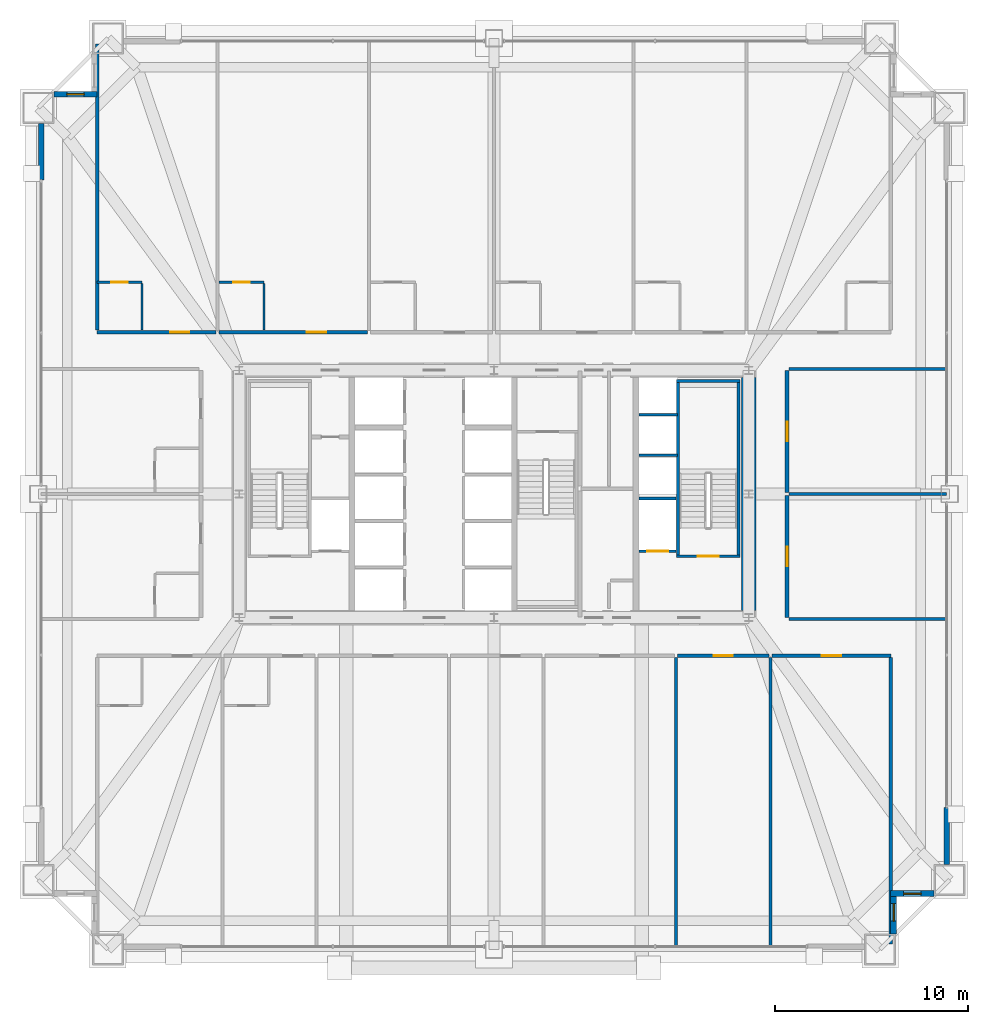
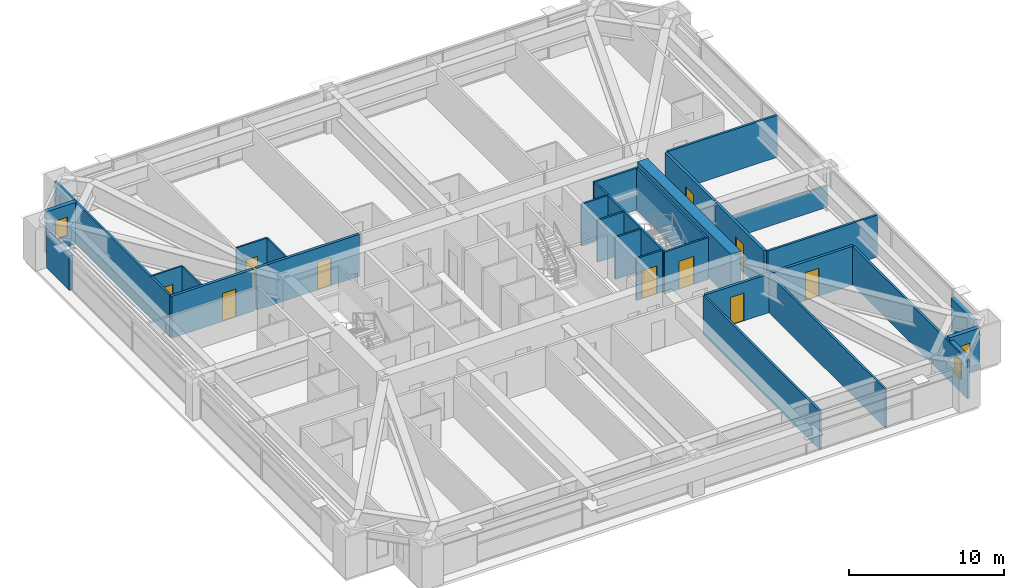
# One storey, part 43 of 45: 31 walls, 10 doors, 3 windows, 13 openings.
"""IFC4 building model written with IfcOpenShell, lengths in metres."""

from ifc_helpers import new_model, si_unit, direction, frame, frame_2d, origin, place, context, subcontext, project, spatial, rectangle, extrude, source, transform, mapped, material, layer, layer_set, type_object, element, fill, save


model = new_model("IFC4")

# Units and contexts
model_context = context("Model", 3, precision=1e-05, world=origin(), true_north=direction((0.0, 1.0)))
body_context = subcontext(model_context, "Body", "Model", "MODEL_VIEW")
ifc_project = project(units=[si_unit("LENGTHUNIT", "METRE"), si_unit("AREAUNIT", "SQUARE_METRE"), si_unit("VOLUMEUNIT", "CUBIC_METRE"), si_unit("PLANEANGLEUNIT", "RADIAN"), si_unit("MASSUNIT", "GRAM", prefix="KILO"), si_unit("THERMODYNAMICTEMPERATUREUNIT", "KELVIN"), si_unit("POWERUNIT", "WATT")], contexts=[model_context])

# Site, building, storey
site_placement = place(None, origin())
site = spatial("IfcSite", under=ifc_project, at=site_placement, CompositionType="ELEMENT")
building_placement = place(site_placement, origin())
building = spatial("IfcBuilding", under=site, at=building_placement, Name="Yuzanri Waterfront Tower", CompositionType="ELEMENT")
storey_placement = place(building_placement, frame((0.0, 0.0, 163.199951171875)))
storey = spatial("IfcBuildingStorey", under=building, at=storey_placement, Name="L43", CompositionType="ELEMENT", Elevation=163.199951171875)

# Wall, opening, door
ifc_material_1 = material(Name="Moisture-Resistant Gypsum Stud Wall", Category="gypsum")
ifc_layer_1 = layer(ifc_material_1, 0.1201171875)
ifc_layer_set_1 = layer_set([ifc_layer_1], Name="Moisture-Resistant Gypsum Stud Wall")
wall_type_1 = type_object("IfcWallType", Name="Bathroom and Kitchen Wet Partition 120", PredefinedType="PARTITIONING", material=ifc_layer_set_1)
wall_1_placement = place(storey_placement, frame((16.43994140625, 36.760009765625, 0.0), z_axis=(0.0, 0.0, 1.0), x_axis=(1.0, 0.0, 0.0)))
wall_1 = element("IfcWall", 1, at=wall_1_placement, inside=storey, type_object=wall_type_1, Name="L43 Partition UW-L43-N1-BN", PredefinedType="PARTITIONING", context=body_context, shape_type="SweptSolid", body=[
    extrude(rectangle(XDim=2.330078125, YDim=0.1201171875, at=frame_2d((1.1650390625, 0.0))), origin(), (0.0, 0.0, 1.0), 3.300048828125),
])
opening_1_placement = place(wall_1_placement, frame((0.739990234375, 0.0, 0.0)))
opening_1 = element("IfcOpeningElement", 2, at=opening_1_placement, cuts=wall_1, Name="Opening ID-0850", PredefinedType="OPENING", context=body_context, shape_type="SweptSolid", body=[
    extrude(rectangle(XDim=0.85009765625, YDim=2.10009765625, at=frame_2d((0.425048828125, 1.050048828125))), frame((0.0, 0.074951171875, 0.0), z_axis=(0.0, -1.0, 0.0), x_axis=(1.0, 0.0, 0.0)), (0.0, 0.0, 1.0), 0.14990234375),
])
ifc_material_2 = material(Name="Moisture-Resistant Lacquered Timber", Category="wood")
door_type_1 = type_object("IfcDoorType", Name="En-Suite Bathroom and Kitchen Swing Door 850x2100", OperationType="NOTDEFINED", PredefinedType="DOOR", material=ifc_material_2)
shared_shape_1 = source(origin(), body_context, "Body", "SweptSolid", [
    extrude(rectangle(XDim=0.85009765625, YDim=2.10009765625, at=frame_2d((0.425048828125, 1.050048828125))), frame((0.0, 0.02490234375, 0.0), z_axis=(0.0, -1.0, 0.0), x_axis=(1.0, 0.0, 0.0)), (0.0, 0.0, 1.0), 0.050048828125),
])
door_1_placement = place(opening_1_placement, origin())
door_1 = element("IfcDoor", 3, at=door_1_placement, inside=storey, type_object=door_type_1, Name="L43 Guest En-Suite Door", OperationType="SINGLE_SWING_LEFT", OverallHeight=2.10009765625, OverallWidth=0.85009765625, PredefinedType="DOOR", context=body_context, shape_type="MappedRepresentation", body=[
    mapped(shared_shape_1, transform((0.0, 0.0, 0.0), scale=1.0)),
])
fill(opening_1, door_1)

wall_2_placement = place(storey_placement, frame((22.757080078125, 36.760009765625, 0.0), z_axis=(0.0, 0.0, 1.0), x_axis=(1.0, 0.0, 0.0)))
wall_2 = element("IfcWall", 4, at=wall_2_placement, inside=storey, type_object=wall_type_1, Name="L43 Partition UW-L43-N2-BN", PredefinedType="PARTITIONING", context=body_context, shape_type="SweptSolid", body=[
    extrude(rectangle(XDim=2.329833984375, YDim=0.1201171875, at=frame_2d((1.1650390625, 0.0))), origin(), (0.0, 0.0, 1.0), 3.300048828125),
])
opening_2_placement = place(wall_2_placement, frame((0.739990234375, 0.0, 0.0)))
opening_2 = element("IfcOpeningElement", 5, at=opening_2_placement, cuts=wall_2, Name="Opening ID-0850", PredefinedType="OPENING", context=body_context, shape_type="SweptSolid", body=[
    extrude(rectangle(XDim=0.85009765625, YDim=2.10009765625, at=frame_2d((0.425048828125, 1.050048828125))), frame((0.0, 0.074951171875, 0.0), z_axis=(0.0, -1.0, 0.0), x_axis=(1.0, 0.0, 0.0)), (0.0, 0.0, 1.0), 0.14990234375),
])
door_2_placement = place(opening_2_placement, origin())
door_2 = element("IfcDoor", 6, at=door_2_placement, inside=storey, type_object=door_type_1, Name="L43 Guest En-Suite Door", OperationType="SINGLE_SWING_LEFT", OverallHeight=2.10009765625, OverallWidth=0.85009765625, PredefinedType="DOOR", context=body_context, shape_type="MappedRepresentation", body=[
    mapped(shared_shape_1, transform((0.0, 0.0, 0.0), scale=1.0)),
])
fill(opening_2, door_2)

# Wall, opening, window
ifc_material_3 = material(Name="Honed Chongqing Dark Basalt Stone", Category="masonry")
ifc_layer_2 = layer(ifc_material_3, 0.300048828125)
ifc_layer_set_2 = layer_set([ifc_layer_2], Name="Honed Chongqing Dark Basalt Stone")
wall_type_2 = type_object("IfcWallType", Name="Bronze Rainscreen Insulated Spandrel Portal Wall 300", PredefinedType="SOLIDWALL", material=ifc_layer_set_2)
wall_3_placement = place(storey_placement, frame((57.550048828125, 5.10009765625, 0.0), z_axis=(0.0, 0.0, 1.0), x_axis=(1.0, 0.0, 0.0)))
wall_3 = element("IfcWall", 7, at=wall_3_placement, inside=storey, type_object=wall_type_2, Name="L43 Notched Corner Masonry Wall SE-X", PredefinedType="SOLIDWALL", context=body_context, shape_type="SweptSolid", body=[
    extrude(rectangle(XDim=2.25, YDim=0.300048828125, at=frame_2d((1.125, 0.0))), origin(), (0.0, 0.0, 1.0), 3.300048828125),
])
opening_3_placement = place(wall_3_placement, frame((0.675048828125, 0.0, 0.85009765625)))
opening_3 = element("IfcOpeningElement", 8, at=opening_3_placement, cuts=wall_3, Name="Opening WN-05", PredefinedType="OPENING", context=body_context, shape_type="SweptSolid", body=[
    extrude(rectangle(XDim=0.89990234375, YDim=1.5, at=frame_2d((0.449951171875, 0.75))), frame((0.0, 0.1650390625, 0.0), z_axis=(0.0, -1.0, 0.0), x_axis=(1.0, 0.0, 0.0)), (0.0, 0.0, 1.0), 0.329833984375),
])
ifc_material_4 = material(Name="Double-Silver Low-E Insulated Glass", Category="glass")
window_type = type_object("IfcWindowType", Name="Anodized Bronze Service and Stairwell Smoke-Vent Window 900x1500", PartitioningType="SINGLE_PANEL", PredefinedType="WINDOW", material=ifc_material_4)
shared_shape_2 = source(origin(), body_context, "Body", "SweptSolid", [
    extrude(rectangle(XDim=0.89990234375, YDim=1.5, at=frame_2d((0.449951171875, 0.75))), frame((0.0, 0.030029296875, 0.0), z_axis=(0.0, -1.0, 0.0), x_axis=(1.0, 0.0, 0.0)), (0.0, 0.0, 1.0), 0.06005859375),
])
window_1_placement = place(opening_3_placement, origin())
window_1 = element("IfcWindow", 9, at=window_1_placement, inside=storey, type_object=window_type, Name="L43 Notched Corner Window SE-X", OverallHeight=1.5, OverallWidth=0.89990234375, PartitioningType="SINGLE_PANEL", PredefinedType="WINDOW", context=body_context, shape_type="MappedRepresentation", body=[
    mapped(shared_shape_2, transform((0.0, 0.0, 0.0), scale=1.0)),
])
fill(opening_3, window_1)

wall_4_placement = place(storey_placement, frame((57.699951171875, 3.0, 0.0), z_axis=(0.0, 0.0, 1.0), x_axis=(0.0, 1.0, 0.0)))
wall_4 = element("IfcWall", 10, at=wall_4_placement, inside=storey, type_object=wall_type_2, Name="L43 Notched Corner Masonry Wall SE-Y", PredefinedType="SOLIDWALL", context=body_context, shape_type="SweptSolid", body=[
    extrude(rectangle(XDim=2.25, YDim=0.300048828125, at=frame_2d((1.125, 0.0))), origin(), (0.0, 0.0, 1.0), 3.050048828125),
])
opening_4_placement = place(wall_4_placement, frame((0.675048828125, 0.0, 0.75)))
opening_4 = element("IfcOpeningElement", 11, at=opening_4_placement, cuts=wall_4, Name="Opening WN-05", PredefinedType="OPENING", context=body_context, shape_type="SweptSolid", body=[
    extrude(rectangle(XDim=0.89990234375, YDim=1.5, at=frame_2d((0.449951171875, 0.75))), frame((0.0, 0.1650390625, 0.0), z_axis=(0.0, -1.0, 0.0), x_axis=(1.0, 0.0, 0.0)), (0.0, 0.0, 1.0), 0.329833984375),
])
window_2_placement = place(opening_4_placement, origin())
window_2 = element("IfcWindow", 12, at=window_2_placement, inside=storey, type_object=window_type, Name="L43 Notched Corner Window SE-Y", OverallHeight=1.5, OverallWidth=0.89990234375, PartitioningType="SINGLE_PANEL", PredefinedType="WINDOW", context=body_context, shape_type="MappedRepresentation", body=[
    mapped(shared_shape_2, transform((0.0, 0.0, 0.0), scale=1.0)),
])
fill(opening_4, window_2)

wall_5_placement = place(storey_placement, frame((16.449951171875, 46.5, 0.0), z_axis=(0.0, 0.0, 1.0), x_axis=(-1.0, 0.0, 0.0)))
wall_5 = element("IfcWall", 13, at=wall_5_placement, inside=storey, type_object=wall_type_2, Name="L43 Notched Corner Masonry Wall NW-X", PredefinedType="SOLIDWALL", context=body_context, shape_type="SweptSolid", body=[
    extrude(rectangle(XDim=2.25, YDim=0.300048828125, at=frame_2d((1.125, 0.0))), origin(), (0.0, 0.0, 1.0), 3.300048828125),
])
opening_5_placement = place(wall_5_placement, frame((0.675048828125, 0.0, 0.85009765625)))
opening_5 = element("IfcOpeningElement", 14, at=opening_5_placement, cuts=wall_5, Name="Opening WN-05", PredefinedType="OPENING", context=body_context, shape_type="SweptSolid", body=[
    extrude(rectangle(XDim=0.89990234375, YDim=1.5, at=frame_2d((0.449951171875, 0.75))), frame((0.0, 0.1650390625, 0.0), z_axis=(0.0, -1.0, 0.0), x_axis=(1.0, 0.0, 0.0)), (0.0, 0.0, 1.0), 0.329833984375),
])
window_3_placement = place(opening_5_placement, origin())
window_3 = element("IfcWindow", 15, at=window_3_placement, inside=storey, type_object=window_type, Name="L43 Notched Corner Window NW-X", OverallHeight=1.5, OverallWidth=0.89990234375, PartitioningType="SINGLE_PANEL", PredefinedType="WINDOW", context=body_context, shape_type="MappedRepresentation", body=[
    mapped(shared_shape_2, transform((0.0, 0.0, 0.0), scale=1.0)),
])
fill(opening_5, window_3)

# Wall, opening, door
ifc_material_5 = material(Name="Concrete C40", Category="concrete")
ifc_layer_3 = layer(ifc_material_5, 0.139892578125)
ifc_layer_set_3 = layer_set([ifc_layer_3], Name="Concrete C40")
wall_type_3 = type_object("IfcWallType", Name="Core Stair Liner and Hoistway Shaft Wall 140", PredefinedType="SOLIDWALL", material=ifc_layer_set_3)
wall_6_placement = place(storey_placement, frame((44.52001953125, 22.830078125, 0.0), z_axis=(0.0, 0.0, 1.0), x_axis=(1.0, 0.0, 0.0)))
wall_6 = element("IfcWall", 16, at=wall_6_placement, inside=storey, type_object=wall_type_3, Name="L43 Lift FL-02 Front Shaft Wall", PredefinedType="SOLIDWALL", context=body_context, shape_type="SweptSolid", body=[
    extrude(rectangle(XDim=1.919921875, YDim=0.139892578125, at=frame_2d((0.9599609375, 0.0))), origin(), (0.0, 0.0, 1.0), 3.300048828125),
])
opening_6_placement = place(wall_6_placement, frame((0.409912109375, 0.0, 0.0)))
opening_6 = element("IfcOpeningElement", 17, at=opening_6_placement, cuts=wall_6, Name="Opening LD-FL-02", PredefinedType="OPENING", context=body_context, shape_type="SweptSolid", body=[
    extrude(rectangle(XDim=1.10009765625, YDim=2.199951171875, at=frame_2d((0.550048828125, 1.10009765625))), frame((0.0, 0.0849609375, 0.0), z_axis=(0.0, -1.0, 0.0), x_axis=(1.0, 0.0, 0.0)), (0.0, 0.0, 1.0), 0.169677734375),
])
ifc_material_6 = material(Name="Brushed Bronze and Stainless Steel Cab", Category="steel")
door_type_2 = type_object("IfcDoorType", Name="Center-Parting Bronze Lift Landing Sliding Door 1100x2200", OperationType="NOTDEFINED", PredefinedType="DOOR", material=ifc_material_6)
shared_shape_3 = source(origin(), body_context, "Body", "SweptSolid", [
    extrude(rectangle(XDim=1.10009765625, YDim=2.199951171875, at=frame_2d((0.550048828125, 1.10009765625))), frame((0.0, 0.02490234375, 0.0), z_axis=(0.0, -1.0, 0.0), x_axis=(1.0, 0.0, 0.0)), (0.0, 0.0, 1.0), 0.050048828125),
])
door_3_placement = place(opening_6_placement, origin())
door_3 = element("IfcDoor", 18, at=door_3_placement, inside=storey, type_object=door_type_2, Name="L43 FL-02 Lift Landing Sliding Door", OperationType="SLIDING_TO_RIGHT", OverallHeight=2.199951171875, OverallWidth=1.10009765625, PredefinedType="DOOR", context=body_context, shape_type="MappedRepresentation", body=[
    mapped(shared_shape_3, transform((0.0, 0.0, 0.0), scale=1.0)),
])
fill(opening_6, door_3)

wall_7_placement = place(storey_placement, frame((46.4599609375, 22.570068359375, 0.0), z_axis=(0.0, 0.0, 1.0), x_axis=(1.0, 0.0, 0.0)))
wall_7 = element("IfcWall", 19, at=wall_7_placement, inside=storey, type_object=wall_type_3, Name="L43 Shaft Wall STW-L43-ST-02-S", PredefinedType="SOLIDWALL", context=body_context, shape_type="SweptSolid", body=[
    extrude(rectangle(XDim=3.280029296875, YDim=0.139892578125, at=frame_2d((1.64013671875, 0.0))), origin(), (0.0, 0.0, 1.0), 3.300048828125),
])
opening_7_placement = place(wall_7_placement, frame((1.090087890625, 0.0, 0.0)))
opening_7 = element("IfcOpeningElement", 20, at=opening_7_placement, cuts=wall_7, Name="Opening FD-1100", PredefinedType="OPENING", context=body_context, shape_type="SweptSolid", body=[
    extrude(rectangle(XDim=1.10009765625, YDim=2.199951171875, at=frame_2d((0.550048828125, 1.10009765625))), frame((0.0, 0.0849609375, 0.0), z_axis=(0.0, -1.0, 0.0), x_axis=(1.0, 0.0, 0.0)), (0.0, 0.0, 1.0), 0.169677734375),
])
ifc_material_7 = material(Name="Painted Galvanized Fire Steel", Category="steel")
door_type_3 = type_object("IfcDoorType", Name="Smoke-Proof Stair and Lobby Fire Door 1100x2200", OperationType="NOTDEFINED", PredefinedType="DOOR", material=ifc_material_7)
shared_shape_4 = source(origin(), body_context, "Body", "SweptSolid", [
    extrude(rectangle(XDim=1.10009765625, YDim=2.199951171875, at=frame_2d((0.550048828125, 1.10009765625))), frame((0.0, 0.02490234375, 0.0), z_axis=(0.0, -1.0, 0.0), x_axis=(1.0, 0.0, 0.0)), (0.0, 0.0, 1.0), 0.050048828125),
])
door_4_placement = place(opening_7_placement, origin())
door_4 = element("IfcDoor", 21, at=door_4_placement, inside=storey, type_object=door_type_3, Name="L43 Stair ST-02 Fire Door", OperationType="SINGLE_SWING_RIGHT", OverallHeight=2.199951171875, OverallWidth=1.10009765625, PredefinedType="DOOR", context=body_context, shape_type="MappedRepresentation", body=[
    mapped(shared_shape_4, transform((0.0, 0.0, 0.0), scale=1.0)),
])
fill(opening_7, door_4)

ifc_material_8 = material(Name="Autoclaved Aerated Concrete Blockwork", Category="masonry")
ifc_layer_4 = layer(ifc_material_8, 0.199951171875)
ifc_layer_set_4 = layer_set([ifc_layer_4], Name="Autoclaved Aerated Concrete Blockwork")
wall_type_4 = type_object("IfcWallType", Name="Corridor and Unit Party Fire Wall 200", PredefinedType="PARTITIONING", material=ifc_layer_set_4)
wall_8_placement = place(storey_placement, frame((46.508056640625, 17.419921875, 0.0), z_axis=(0.0, 0.0, 1.0), x_axis=(1.0, 0.0, 0.0)))
wall_8 = element("IfcWall", 22, at=wall_8_placement, inside=storey, type_object=wall_type_4, Name="L43 Partition UW-L43-S6-CN", PredefinedType="PARTITIONING", context=body_context, shape_type="SweptSolid", body=[
    extrude(rectangle(XDim=4.72802734375, YDim=0.199951171875, at=frame_2d((2.364013671875, 0.0))), origin(), (0.0, 0.0, 1.0), 3.050048828125),
])
opening_8_placement = place(wall_8_placement, frame((1.864013671875, 0.0, 0.0)))
opening_8 = element("IfcOpeningElement", 23, at=opening_8_placement, cuts=wall_8, Name="Opening FD-1000", PredefinedType="OPENING", context=body_context, shape_type="SweptSolid", body=[
    extrude(rectangle(XDim=1.0, YDim=2.199951171875, at=frame_2d((0.5, 1.10009765625))), frame((0.0, 0.11474609375, 0.0), z_axis=(0.0, -1.0, 0.0), x_axis=(1.0, 0.0, 0.0)), (0.0, 0.0, 1.0), 0.229736328125),
])
ifc_material_9 = material(Name="Engineered Oak Fire-Rated Timber", Category="wood")
door_type_4 = type_object("IfcDoorType", Name="Guestroom and Apartment Entrance Fire Door 1000x2200", OperationType="NOTDEFINED", PredefinedType="DOOR", material=ifc_material_9)
shared_shape_5 = source(origin(), body_context, "Body", "SweptSolid", [
    extrude(rectangle(XDim=1.0, YDim=2.199951171875, at=frame_2d((0.5, 1.10009765625))), frame((0.0, 0.02490234375, 0.0), z_axis=(0.0, -1.0, 0.0), x_axis=(1.0, 0.0, 0.0)), (0.0, 0.0, 1.0), 0.050048828125),
])
door_5_placement = place(opening_8_placement, origin())
door_5 = element("IfcDoor", 24, at=door_5_placement, inside=storey, type_object=door_type_4, Name="L43 Office A Entrance Door", OperationType="SINGLE_SWING_RIGHT", OverallHeight=2.199951171875, OverallWidth=1.0, PredefinedType="DOOR", context=body_context, shape_type="MappedRepresentation", body=[
    mapped(shared_shape_5, transform((0.0, 0.0, 0.0), scale=1.0)),
])
fill(opening_8, door_5)

wall_9_placement = place(storey_placement, frame((51.39599609375, 17.419921875, 0.0), z_axis=(0.0, 0.0, 1.0), x_axis=(1.0, 0.0, 0.0)))
wall_9 = element("IfcWall", 25, at=wall_9_placement, inside=storey, type_object=wall_type_4, Name="L43 Partition UW-L43-S7-CN", PredefinedType="PARTITIONING", context=body_context, shape_type="SweptSolid", body=[
    extrude(rectangle(XDim=6.1640625, YDim=0.199951171875, at=frame_2d((3.08203125, 0.0))), origin(), (0.0, 0.0, 1.0), 3.050048828125),
])
opening_9_placement = place(wall_9_placement, frame((2.58203125, 0.0, 0.0)))
opening_9 = element("IfcOpeningElement", 26, at=opening_9_placement, cuts=wall_9, Name="Opening FD-1000", PredefinedType="OPENING", context=body_context, shape_type="SweptSolid", body=[
    extrude(rectangle(XDim=1.0, YDim=2.199951171875, at=frame_2d((0.5, 1.10009765625))), frame((0.0, 0.11474609375, 0.0), z_axis=(0.0, -1.0, 0.0), x_axis=(1.0, 0.0, 0.0)), (0.0, 0.0, 1.0), 0.229736328125),
])
door_6_placement = place(opening_9_placement, origin())
door_6 = element("IfcDoor", 27, at=door_6_placement, inside=storey, type_object=door_type_4, Name="L43 Office B Entrance Door", OperationType="SINGLE_SWING_LEFT", OverallHeight=2.199951171875, OverallWidth=1.0, PredefinedType="DOOR", context=body_context, shape_type="MappedRepresentation", body=[
    mapped(shared_shape_5, transform((0.0, 0.0, 0.0), scale=1.0)),
])
fill(opening_9, door_6)

wall_10_placement = place(storey_placement, frame((16.43994140625, 34.179931640625, 0.0), z_axis=(0.0, 0.0, 1.0), x_axis=(1.0, 0.0, 0.0)))
wall_10 = element("IfcWall", 28, at=wall_10_placement, inside=storey, type_object=wall_type_4, Name="L43 Partition UW-L43-N1-CS", PredefinedType="PARTITIONING", context=body_context, shape_type="SweptSolid", body=[
    extrude(rectangle(XDim=6.156982421875, YDim=0.199951171875, at=frame_2d((3.07861328125, 0.0))), origin(), (0.0, 0.0, 1.0), 3.300048828125),
])
opening_10_placement = place(wall_10_placement, frame((3.783935546875, 0.0, 0.0)))
opening_10 = element("IfcOpeningElement", 29, at=opening_10_placement, cuts=wall_10, Name="Opening FD-1000", PredefinedType="OPENING", context=body_context, shape_type="SweptSolid", body=[
    extrude(rectangle(XDim=1.0, YDim=2.199951171875, at=frame_2d((0.5, 1.10009765625))), frame((0.0, 0.11474609375, 0.0), z_axis=(0.0, -1.0, 0.0), x_axis=(1.0, 0.0, 0.0)), (0.0, 0.0, 1.0), 0.229736328125),
])
door_7_placement = place(opening_10_placement, origin())
door_7 = element("IfcDoor", 30, at=door_7_placement, inside=storey, type_object=door_type_4, Name="L43 Deluxe Queen Junior Suite Entrance Door", OperationType="SINGLE_SWING_RIGHT", OverallHeight=2.199951171875, OverallWidth=1.0, PredefinedType="DOOR", context=body_context, shape_type="MappedRepresentation", body=[
    mapped(shared_shape_5, transform((0.0, 0.0, 0.0), scale=1.0)),
])
fill(opening_10, door_7)

wall_11_placement = place(storey_placement, frame((22.757080078125, 34.179931640625, 0.0), z_axis=(0.0, 0.0, 1.0), x_axis=(1.0, 0.0, 0.0)))
wall_11 = element("IfcWall", 31, at=wall_11_placement, inside=storey, type_object=wall_type_4, Name="L43 Partition UW-L43-N2-CS", PredefinedType="PARTITIONING", context=body_context, shape_type="SweptSolid", body=[
    extrude(rectangle(XDim=7.679931640625, YDim=0.199951171875, at=frame_2d((3.83984375, 0.0))), origin(), (0.0, 0.0, 1.0), 3.300048828125),
])
opening_11_placement = place(wall_11_placement, frame((4.544921875, 0.0, 0.0)))
opening_11 = element("IfcOpeningElement", 32, at=opening_11_placement, cuts=wall_11, Name="Opening FD-1000", PredefinedType="OPENING", context=body_context, shape_type="SweptSolid", body=[
    extrude(rectangle(XDim=1.0, YDim=2.199951171875, at=frame_2d((0.5, 1.10009765625))), frame((0.0, 0.11474609375, 0.0), z_axis=(0.0, -1.0, 0.0), x_axis=(1.0, 0.0, 0.0)), (0.0, 0.0, 1.0), 0.229736328125),
])
door_8_placement = place(opening_11_placement, origin())
door_8 = element("IfcDoor", 33, at=door_8_placement, inside=storey, type_object=door_type_4, Name="L43 Deluxe Queen Junior Suite Entrance Door", OperationType="SINGLE_SWING_RIGHT", OverallHeight=2.199951171875, OverallWidth=1.0, PredefinedType="DOOR", context=body_context, shape_type="MappedRepresentation", body=[
    mapped(shared_shape_5, transform((0.0, 0.0, 0.0), scale=1.0)),
])
fill(opening_11, door_8)

wall_12_placement = place(storey_placement, frame((52.179931640625, 19.409912109375, 0.0), z_axis=(0.0, 0.0, 1.0), x_axis=(0.0, 1.0, 0.0)))
wall_12 = element("IfcWall", 34, at=wall_12_placement, inside=storey, type_object=wall_type_4, Name="L43 Partition UW-L43-E1-CW", PredefinedType="PARTITIONING", context=body_context, shape_type="SweptSolid", body=[
    extrude(rectangle(XDim=6.31005859375, YDim=0.199951171875, at=frame_2d((3.155029296875, 0.0))), origin(), (0.0, 0.0, 1.0), 3.300048828125),
])
opening_12_placement = place(wall_12_placement, frame((2.655029296875, 0.0, 0.0)))
opening_12 = element("IfcOpeningElement", 35, at=opening_12_placement, cuts=wall_12, Name="Opening FD-1000", PredefinedType="OPENING", context=body_context, shape_type="SweptSolid", body=[
    extrude(rectangle(XDim=1.0, YDim=2.199951171875, at=frame_2d((0.5, 1.10009765625))), frame((0.0, 0.11474609375, 0.0), z_axis=(0.0, -1.0, 0.0), x_axis=(1.0, 0.0, 0.0)), (0.0, 0.0, 1.0), 0.229736328125),
])
door_9_placement = place(opening_12_placement, origin())
door_9 = element("IfcDoor", 36, at=door_9_placement, inside=storey, type_object=door_type_4, Name="L43 Boardroom 1 Entrance Door", OperationType="SINGLE_SWING_RIGHT", OverallHeight=2.199951171875, OverallWidth=1.0, PredefinedType="DOOR", context=body_context, shape_type="MappedRepresentation", body=[
    mapped(shared_shape_5, transform((0.0, 0.0, 0.0), scale=1.0)),
])
fill(opening_12, door_9)

wall_13_placement = place(storey_placement, frame((52.179931640625, 25.8798828125, 0.0), z_axis=(0.0, 0.0, 1.0), x_axis=(0.0, 1.0, 0.0)))
wall_13 = element("IfcWall", 37, at=wall_13_placement, inside=storey, type_object=wall_type_4, Name="L43 Partition UW-L43-E2-CW", PredefinedType="PARTITIONING", context=body_context, shape_type="SweptSolid", body=[
    extrude(rectangle(XDim=6.31005859375, YDim=0.199951171875, at=frame_2d((3.155029296875, 0.0))), origin(), (0.0, 0.0, 1.0), 3.300048828125),
])
opening_13_placement = place(wall_13_placement, frame((2.655029296875, 0.0, 0.0)))
opening_13 = element("IfcOpeningElement", 38, at=opening_13_placement, cuts=wall_13, Name="Opening FD-1000", PredefinedType="OPENING", context=body_context, shape_type="SweptSolid", body=[
    extrude(rectangle(XDim=1.0, YDim=2.199951171875, at=frame_2d((0.5, 1.10009765625))), frame((0.0, 0.11474609375, 0.0), z_axis=(0.0, -1.0, 0.0), x_axis=(1.0, 0.0, 0.0)), (0.0, 0.0, 1.0), 0.229736328125),
])
door_10_placement = place(opening_13_placement, origin())
door_10 = element("IfcDoor", 39, at=door_10_placement, inside=storey, type_object=door_type_4, Name="L43 Boardroom 2 Entrance Door", OperationType="SINGLE_SWING_LEFT", OverallHeight=2.199951171875, OverallWidth=1.0, PredefinedType="DOOR", context=body_context, shape_type="MappedRepresentation", body=[
    mapped(shared_shape_5, transform((0.0, 0.0, 0.0), scale=1.0)),
])
fill(opening_13, door_10)

# Walls
ifc_material_10 = material(Name="Concrete C55", Category="concrete")
ifc_layer_5 = layer(ifc_material_10, 0.75)
ifc_layer_set_5 = layer_set([ifc_layer_5], Name="Concrete C55")
wall_type_5 = type_object("IfcWallType", Name="Concrete C55 Low-Mid Zone Core Shear Wall 750", PredefinedType="SHEAR", material=ifc_layer_set_5)
shared_shape_6 = source(origin(), body_context, "Body", "SweptSolid", [
    extrude(rectangle(XDim=12.050048828125, YDim=0.75, at=frame_2d((6.02490234375, 0.0))), origin(), (0.0, 0.0, 1.0), 3.60009765625),
])
wall_14_placement = place(storey_placement, frame((50.199951171875, 19.77490234375, 0.0), z_axis=(0.0, 0.0, 1.0), x_axis=(0.0, 1.0, 0.0)))
element("IfcWall", 40, at=wall_14_placement, inside=storey, type_object=wall_type_5, Name="L43 Core East Shear Wall", PredefinedType="SHEAR", context=body_context, shape_type="MappedRepresentation", body=[
    mapped(shared_shape_6, transform((0.0, 0.0, 0.0), scale=1.0)),
])
shared_shape_7 = source(origin(), body_context, "Body", "SweptSolid", [
    extrude(rectangle(XDim=2.949951171875, YDim=0.300048828125, at=frame_2d((1.47509765625, 0.0))), origin(), (0.0, 0.0, 1.0), 2.695068359375),
])
for number, where, z_axis, x_axis, name in (
    (41, (13.550048828125, 42.050048828125, 0.0), (0.0, 0.0, 1.0), (0.0, 1.0, 0.0), "L43 W Right Braced Masonry Shoulder"),
    (42, (60.449951171875, 6.60009765625, 0.0), (0.0, 0.0, 1.0), (0.0, 1.0, 0.0), "L43 E Left Braced Masonry Shoulder"),
):
    element("IfcWall", number, at=place(storey_placement, frame(where, z_axis=z_axis, x_axis=x_axis)), inside=storey, type_object=wall_type_2, Name=name, PredefinedType="SOLIDWALL", context=body_context, shape_type="MappedRepresentation", body=[
        mapped(shared_shape_7, transform((0.0, 0.0, 0.0), scale=1.0)),
    ])
shared_shape_8 = source(origin(), body_context, "Body", "SweptSolid", [
    extrude(rectangle(XDim=1.919921875, YDim=0.139892578125, at=frame_2d((0.9599609375, 0.0))), origin(), (0.0, 0.0, 1.0), 3.300048828125),
])
wall_15_placement = place(storey_placement, frame((44.52001953125, 25.570068359375, 0.0), z_axis=(0.0, 0.0, 1.0), x_axis=(1.0, 0.0, 0.0)))
element("IfcWall", 43, at=wall_15_placement, inside=storey, type_object=wall_type_3, Name="L43 Lift FL-02 Back Shaft Wall", PredefinedType="SOLIDWALL", context=body_context, shape_type="MappedRepresentation", body=[
    mapped(shared_shape_8, transform((0.0, 0.0, 0.0), scale=1.0)),
])
shared_shape_9 = source(origin(), body_context, "Body", "SweptSolid", [
    extrude(rectangle(XDim=2.0, YDim=0.139892578125, at=frame_2d((1.0, 0.0))), origin(), (0.0, 0.0, 1.0), 3.300048828125),
])
for number, where, z_axis, x_axis, name in (
    (44, (44.5, 27.800048828125, 0.0), (0.0, 0.0, 1.0), (1.0, 0.0, 0.0), "L43 Lift PL-09 Divider Wall"),
    (45, (44.5, 29.89990234375, 0.0), (0.0, 0.0, 1.0), (1.0, 0.0, 0.0), "L43 Lift PL-10 Divider Wall"),
):
    element("IfcWall", number, at=place(storey_placement, frame(where, z_axis=z_axis, x_axis=x_axis)), inside=storey, type_object=wall_type_3, Name=name, PredefinedType="SOLIDWALL", context=body_context, shape_type="MappedRepresentation", body=[
        mapped(shared_shape_9, transform((0.0, 0.0, 0.0), scale=1.0)),
    ])
shared_shape_10 = source(origin(), body_context, "Body", "SweptSolid", [
    extrude(rectangle(XDim=3.280029296875, YDim=0.139892578125, at=frame_2d((1.64013671875, 0.0))), origin(), (0.0, 0.0, 1.0), 3.300048828125),
])
wall_16_placement = place(storey_placement, frame((46.4599609375, 31.64990234375, 0.0), z_axis=(0.0, 0.0, 1.0), x_axis=(1.0, 0.0, 0.0)))
element("IfcWall", 46, at=wall_16_placement, inside=storey, type_object=wall_type_3, Name="L43 Stair ST-02 North Shaft Wall", PredefinedType="SOLIDWALL", context=body_context, shape_type="MappedRepresentation", body=[
    mapped(shared_shape_10, transform((0.0, 0.0, 0.0), scale=1.0)),
])
shared_shape_11 = source(origin(), body_context, "Body", "SweptSolid", [
    extrude(rectangle(XDim=8.940185546875, YDim=0.139892578125, at=frame_2d((4.47021484375, 0.0))), origin(), (0.0, 0.0, 1.0), 3.300048828125),
])
for number, where, z_axis, x_axis, name in (
    (47, (46.530029296875, 22.639892578125, 0.0), (0.0, 0.0, 1.0), (0.0, 1.0, 0.0), "L43 Stair ST-02 West Shaft Wall"),
    (48, (49.669921875, 22.639892578125, 0.0), (0.0, 0.0, 1.0), (0.0, 1.0, 0.0), "L43 Stair ST-02 East Shaft Wall"),
):
    element("IfcWall", number, at=place(storey_placement, frame(where, z_axis=z_axis, x_axis=x_axis)), inside=storey, type_object=wall_type_3, Name=name, PredefinedType="SOLIDWALL", context=body_context, shape_type="MappedRepresentation", body=[
        mapped(shared_shape_11, transform((0.0, 0.0, 0.0), scale=1.0)),
    ])
ifc_material_11 = material(Name="Gypsum Fireboard Acoustic Stud Wall", Category="gypsum")
ifc_layer_6 = layer(ifc_material_11, 0.159912109375)
ifc_layer_set_6 = layer_set([ifc_layer_6], Name="Gypsum Fireboard Acoustic Stud Wall")
wall_type_6 = type_object("IfcWallType", Name="Acoustic Suite Demising Partition 160", PredefinedType="PARTITIONING", material=ifc_layer_set_6)
shared_shape_12 = source(origin(), body_context, "Body", "SweptSolid", [
    extrude(rectangle(XDim=14.969970703125, YDim=0.159912109375, at=frame_2d((7.48486328125, 0.0))), origin(), (0.0, 0.0, 1.0), 3.050048828125),
])
for number, where, z_axis, x_axis, name in (
    (49, (46.427978515625, 2.35009765625, 0.0), (0.0, 0.0, 1.0), (0.0, 1.0, 0.0), "L43-S5 Party Wall"),
    (50, (51.31591796875, 2.35009765625, 0.0), (0.0, 0.0, 1.0), (0.0, 1.0, 0.0), "L43-S6 Party Wall"),
):
    element("IfcWall", number, at=place(storey_placement, frame(where, z_axis=z_axis, x_axis=x_axis)), inside=storey, type_object=wall_type_6, Name=name, PredefinedType="PARTITIONING", context=body_context, shape_type="MappedRepresentation", body=[
        mapped(shared_shape_12, transform((0.0, 0.0, 0.0), scale=1.0)),
    ])
shared_shape_13 = source(origin(), body_context, "Body", "SweptSolid", [
    extrude(rectangle(XDim=14.820068359375, YDim=0.159912109375, at=frame_2d((7.41015625, 0.0))), origin(), (0.0, 0.0, 1.0), 3.050048828125),
])
wall_17_placement = place(storey_placement, frame((57.550048828125, 2.5, 0.0), z_axis=(0.0, 0.0, 1.0), x_axis=(0.0, 1.0, 0.0)))
element("IfcWall", 51, at=wall_17_placement, inside=storey, type_object=wall_type_6, Name="L43 South Band East End Wall", PredefinedType="PARTITIONING", context=body_context, shape_type="MappedRepresentation", body=[
    mapped(shared_shape_13, transform((0.0, 0.0, 0.0), scale=1.0)),
])
shared_shape_14 = source(origin(), body_context, "Body", "SweptSolid", [
    extrude(rectangle(XDim=2.419921875, YDim=0.1201171875, at=frame_2d((1.2099609375, 0.0))), origin(), (0.0, 0.0, 1.0), 3.300048828125),
])
for number, where, z_axis, x_axis, name in (
    (52, (18.77001953125, 34.280029296875, 0.0), (0.0, 0.0, 1.0), (0.0, 1.0, 0.0), "L43-N1 En-Suite Side Wall"),
    (53, (25.0869140625, 34.280029296875, 0.0), (0.0, 0.0, 1.0), (0.0, 1.0, 0.0), "L43-N2 En-Suite Side Wall"),
):
    element("IfcWall", number, at=place(storey_placement, frame(where, z_axis=z_axis, x_axis=x_axis)), inside=storey, type_object=wall_type_1, Name=name, PredefinedType="PARTITIONING", context=body_context, shape_type="MappedRepresentation", body=[
        mapped(shared_shape_14, transform((0.0, 0.0, 0.0), scale=1.0)),
    ])
shared_shape_15 = source(origin(), body_context, "Body", "SweptSolid", [
    extrude(rectangle(XDim=14.820068359375, YDim=0.159912109375, at=frame_2d((7.41015625, 0.0))), origin(), (0.0, 0.0, 1.0), 3.300048828125),
])
wall_18_placement = place(storey_placement, frame((16.449951171875, 34.280029296875, 0.0), z_axis=(0.0, 0.0, 1.0), x_axis=(0.0, 1.0, 0.0)))
element("IfcWall", 54, at=wall_18_placement, inside=storey, type_object=wall_type_6, Name="L43 North Band West End Wall", PredefinedType="PARTITIONING", context=body_context, shape_type="MappedRepresentation", body=[
    mapped(shared_shape_15, transform((0.0, 0.0, 0.0), scale=1.0)),
])
shared_shape_16 = source(origin(), body_context, "Body", "SweptSolid", [
    extrude(rectangle(XDim=8.169921875, YDim=0.159912109375, at=frame_2d((4.0849609375, 0.0))), origin(), (0.0, 0.0, 1.0), 1.695068359375),
])
wall_19_placement = place(storey_placement, frame((52.280029296875, 25.800048828125, 0.0), z_axis=(0.0, 0.0, 1.0), x_axis=(1.0, 0.0, 0.0)))
element("IfcWall", 55, at=wall_19_placement, inside=storey, type_object=wall_type_6, Name="L43-E1 Wing Party Wall", PredefinedType="PARTITIONING", context=body_context, shape_type="MappedRepresentation", body=[
    mapped(shared_shape_16, transform((0.0, 0.0, 0.0), scale=1.0)),
])
shared_shape_17 = source(origin(), body_context, "Body", "SweptSolid", [
    extrude(rectangle(XDim=8.169921875, YDim=0.159912109375, at=frame_2d((4.0849609375, 0.0))), origin(), (0.0, 0.0, 1.0), 3.300048828125),
])
for number, where, z_axis, x_axis, name in (
    (56, (52.280029296875, 19.330078125, 0.0), (0.0, 0.0, 1.0), (1.0, 0.0, 0.0), "L43-E1 Wing South End Wall"),
    (57, (52.280029296875, 32.27001953125, 0.0), (0.0, 0.0, 1.0), (1.0, 0.0, 0.0), "L43-E2 Wing North End Wall"),
):
    element("IfcWall", number, at=place(storey_placement, frame(where, z_axis=z_axis, x_axis=x_axis)), inside=storey, type_object=wall_type_6, Name=name, PredefinedType="PARTITIONING", context=body_context, shape_type="MappedRepresentation", body=[
        mapped(shared_shape_17, transform((0.0, 0.0, 0.0), scale=1.0)),
    ])

save(model, "model.ifc")
